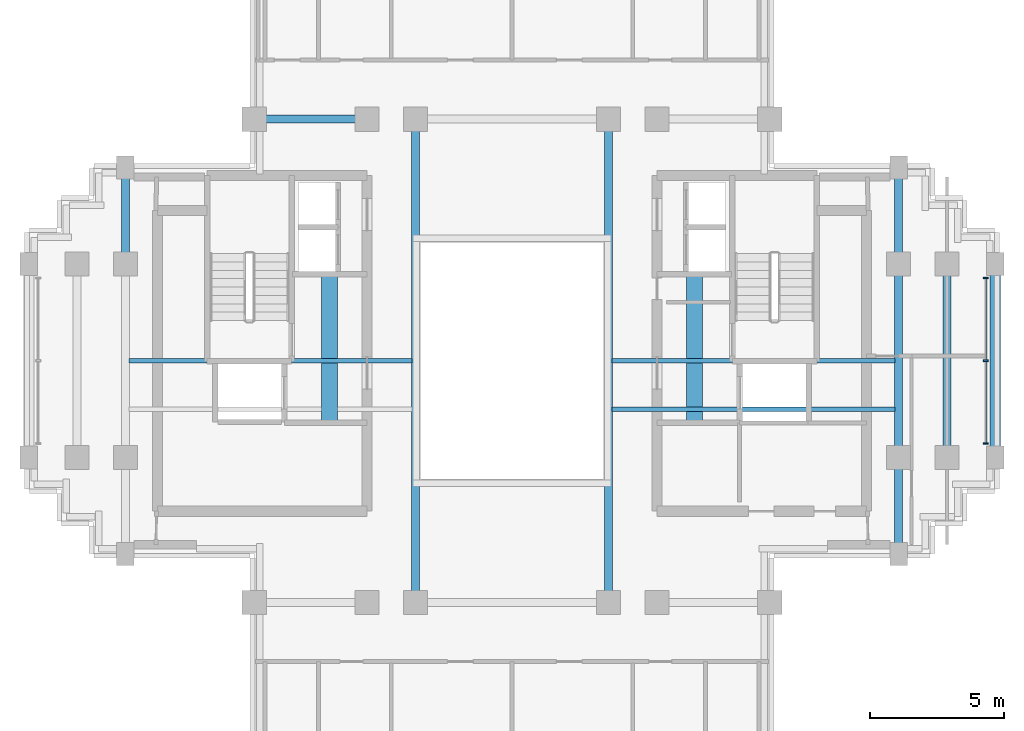
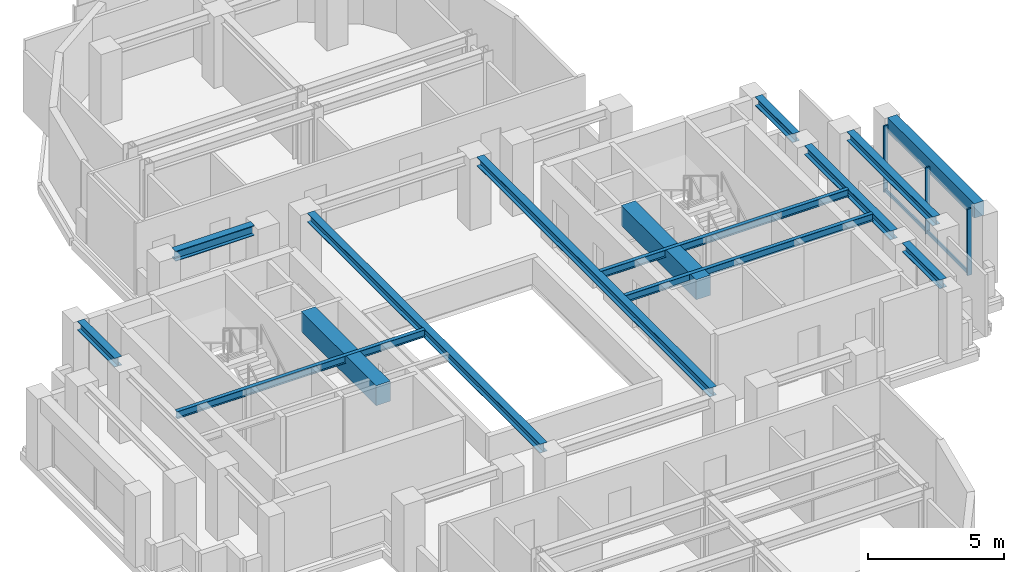
# One storey, part 3 of 11: 14 beams, 5 members, 1 element without a shape of its own.
"""IFC4 building model written with IfcOpenShell, lengths in metres."""

from ifc_helpers import new_model, si_unit, direction, frame, origin, origin_2d, place, context, subcontext, project, spatial, rectangle, i_section, extrude, source, transform, mapped, material, material_profile, profile_set, type_object, element, aggregate, save


model = new_model("IFC4")

# Units and contexts
model_context = context("Model", 3, precision=1e-05, world=origin(), true_north=direction((0.0, 1.0)))
body_context = subcontext(model_context, "Body", "Model", "MODEL_VIEW")
ifc_project = project(units=[si_unit("LENGTHUNIT", "METRE"), si_unit("AREAUNIT", "SQUARE_METRE"), si_unit("VOLUMEUNIT", "CUBIC_METRE"), si_unit("PLANEANGLEUNIT", "RADIAN"), si_unit("MASSUNIT", "GRAM", prefix="KILO")], contexts=[model_context])

# Site, building, storey
site_placement = place(None, origin())
site = spatial("IfcSite", under=ifc_project, at=site_placement, CompositionType="ELEMENT")
building_placement = place(site_placement, origin())
building = spatial("IfcBuilding", under=site, at=building_placement, Name="Keilestroom Media Tower", CompositionType="ELEMENT")
storey_placement = place(building_placement, frame((0.0, 0.0, 201.199951171875)))
storey = spatial("IfcBuildingStorey", under=building, at=storey_placement, Name="L55", CompositionType="ELEMENT", Elevation=201.199951171875)

# Beams
ifc_material_1 = material(Name="Concrete C70/85", Category="concrete")
ifc_material_profile_1 = material_profile(ifc_material_1, rectangle(XDim=0.60009765625, YDim=0.89990234375, at=origin_2d()), Name="RC 600x900")
ifc_profile_set_1 = profile_set([ifc_material_profile_1], Name="Concrete C70/85")
beam_type_1 = type_object("IfcBeamType", Name="Core-Coupling-Lintel-Beam-RC-600x900", PredefinedType="LINTEL", material=ifc_profile_set_1)
shared_shape_1 = source(origin(), body_context, "Body", "SweptSolid", [
    extrude(rectangle(XDim=0.60009765625, YDim=0.89990234375, at=origin_2d()), origin(), (0.0, 0.0, 1.0), 5.52001953125),
])
for number, where, z_axis, x_axis, name in (
    (1, (-6.800048828125, -2.300048828125, 2.75), (0.0, 1.0, 0.0), (-1.0, 0.0, 0.0), "L55 Beam CLB-1 CLB-L55-W"),
    (2, (6.800048828125, -2.300048828125, 2.75), (0.0, 1.0, 0.0), (-1.0, 0.0, 0.0), "L55 Beam CLB-1 CLB-L55-E"),
):
    element("IfcBeam", number, at=place(storey_placement, frame(where, z_axis=z_axis, x_axis=x_axis)), inside=storey, type_object=beam_type_1, Name=name, PredefinedType="LINTEL", context=body_context, shape_type="MappedRepresentation", body=[
        mapped(shared_shape_1, transform((0.0, 0.0, 0.0), x_axis=(1.0, 0.0, 0.0), y_axis=(0.0, 1.0, 0.0), z_axis=(0.0, 0.0, 1.0), scale=1.0)),
    ])
ifc_material_2 = material(Name="Steel S355", Category="steel")
ifc_material_profile_2 = material_profile(ifc_material_2, i_section(OverallWidth=0.300048828125, OverallDepth=0.449951171875, WebThickness=0.011962890625, FlangeThickness=0.02587890625, at=origin_2d()), Name="HEB 450")
ifc_profile_set_2 = profile_set([ifc_material_profile_2], Name="Steel S355")
beam_type_2 = type_object("IfcBeamType", Name="Primary-Structural-Girder-HEB-450", PredefinedType="BEAM", material=ifc_profile_set_2)
shared_shape_2 = source(origin(), body_context, "Body", "SweptSolid", [
    extrude(i_section(OverallWidth=0.300048828125, OverallDepth=0.449951171875, WebThickness=0.011962890625, FlangeThickness=0.02587890625, at=origin_2d()), origin(), (0.0, 0.0, 1.0), 3.33984375),
])
beam_1_placement = place(storey_placement, frame((-9.169921875, 9.0, 2.97509765625), z_axis=(1.0, 0.0, 0.0), x_axis=(0.0, 1.0, 0.0)))
element("IfcBeam", 3, at=beam_1_placement, inside=storey, type_object=beam_type_2, Name="L55 Beam BG-7 BM-L55-EW-020", PredefinedType="BEAM", context=body_context, shape_type="MappedRepresentation", body=[
    mapped(shared_shape_2, transform((0.0, 0.0, 0.0), x_axis=(1.0, 0.0, 0.0), y_axis=(0.0, 1.0, 0.0), z_axis=(0.0, 0.0, 1.0), scale=1.0)),
])
ifc_material_3 = material(Name="Precast concrete C40/50", Category="concrete")
ifc_material_profile_3 = material_profile(ifc_material_3, rectangle(XDim=0.39990234375, YDim=0.64990234375, at=origin_2d()), Name="PC 400x650")
ifc_profile_set_3 = profile_set([ifc_material_profile_3], Name="Precast concrete C40/50")
beam_type_3 = type_object("IfcBeamType", Name="Perimeter-Spandrel-Beam-PC-400x650", PredefinedType="SPANDREL", material=ifc_profile_set_3)
shared_shape_3 = source(origin(), body_context, "Body", "SweptSolid", [
    extrude(rectangle(XDim=0.39990234375, YDim=0.64990234375, at=origin_2d()), origin(), (0.0, 0.0, 1.0), 6.39013671875),
])
beam_2_placement = place(storey_placement, frame((18.0, -3.195068359375, 2.875), z_axis=(0.0, 1.0, 0.0), x_axis=(-1.0, 0.0, 0.0)))
element("IfcBeam", 4, at=beam_2_placement, inside=storey, type_object=beam_type_3, Name="L55 Beam SPB-2 BM-L55-NS-054", PredefinedType="SPANDREL", context=body_context, shape_type="MappedRepresentation", body=[
    mapped(shared_shape_3, transform((0.0, 0.0, 0.0), x_axis=(1.0, 0.0, 0.0), y_axis=(0.0, 1.0, 0.0), z_axis=(0.0, 0.0, 1.0), scale=1.0)),
])
ifc_material_profile_4 = material_profile(ifc_material_2, i_section(OverallWidth=0.300048828125, OverallDepth=0.39990234375, WebThickness=0.011474609375, FlangeThickness=0.02392578125, at=origin_2d()), Name="HEB 400")
ifc_profile_set_4 = profile_set([ifc_material_profile_4], Name="Steel S355")
beam_type_4 = type_object("IfcBeamType", Name="Primary-Structural-Girder-HEB-400", PredefinedType="BEAM", material=ifc_profile_set_4)
shared_shape_4 = source(origin(), body_context, "Body", "SweptSolid", [
    extrude(i_section(OverallWidth=0.300048828125, OverallDepth=0.39990234375, WebThickness=0.011474609375, FlangeThickness=0.02392578125, at=origin_2d()), origin(), (0.0, 0.0, 1.0), 6.33984375),
])
for number, where, z_axis, x_axis, name in (
    (5, (14.39990234375, -3.169921875, 3.0), (0.0, 1.0, 0.0), (-1.0, 0.0, 0.0), "L55 Beam BG-8 BM-L55-NS-051"),
    (6, (16.199951171875, -3.169921875, 3.0), (0.0, 1.0, 0.0), (-1.0, 0.0, 0.0), "L55 Beam BG-8 BM-L55-NS-053"),
):
    element("IfcBeam", number, at=place(storey_placement, frame(where, z_axis=z_axis, x_axis=x_axis)), inside=storey, type_object=beam_type_4, Name=name, PredefinedType="BEAM", context=body_context, shape_type="MappedRepresentation", body=[
        mapped(shared_shape_4, transform((0.0, 0.0, 0.0), x_axis=(1.0, 0.0, 0.0), y_axis=(0.0, 1.0, 0.0), z_axis=(0.0, 0.0, 1.0), scale=1.0)),
    ])
shared_shape_5 = source(origin(), body_context, "Body", "SweptSolid", [
    extrude(i_section(OverallWidth=0.300048828125, OverallDepth=0.39990234375, WebThickness=0.011474609375, FlangeThickness=0.02392578125, at=origin_2d()), origin(), (0.0, 0.0, 1.0), 2.764892578125),
])
for number, where, z_axis, x_axis, name in (
    (7, (-14.39990234375, 4.030029296875, 3.0), (0.0, 1.0, 0.0), (-1.0, 0.0, 0.0), "L55 Beam BG-8 BM-L55-NS-035"),
    (8, (14.39990234375, -6.794921875, 3.0), (0.0, 1.0, 0.0), (-1.0, 0.0, 0.0), "L55 Beam BG-8 BM-L55-NS-050"),
    (9, (14.39990234375, 4.030029296875, 3.0), (0.0, 1.0, 0.0), (-1.0, 0.0, 0.0), "L55 Beam BG-8 BM-L55-NS-052"),
):
    element("IfcBeam", number, at=place(storey_placement, frame(where, z_axis=z_axis, x_axis=x_axis)), inside=storey, type_object=beam_type_4, Name=name, PredefinedType="BEAM", context=body_context, shape_type="MappedRepresentation", body=[
        mapped(shared_shape_5, transform((0.0, 0.0, 0.0), x_axis=(1.0, 0.0, 0.0), y_axis=(0.0, 1.0, 0.0), z_axis=(0.0, 0.0, 1.0), scale=1.0)),
    ])
shared_shape_6 = source(origin(), body_context, "Body", "SweptSolid", [
    extrude(i_section(OverallWidth=0.300048828125, OverallDepth=0.39990234375, WebThickness=0.011474609375, FlangeThickness=0.02392578125, at=origin_2d()), origin(), (0.0, 0.0, 1.0), 17.14013671875),
])
for number, where, z_axis, x_axis, name in (
    (10, (-3.60009765625, -8.570068359375, 3.0), (0.0, 1.0, 0.0), (-1.0, 0.0, 0.0), "L55 Beam BG-8 BM-L55-NS-040"),
    (11, (3.60009765625, -8.570068359375, 3.0), (0.0, 1.0, 0.0), (-1.0, 0.0, 0.0), "L55 Beam BG-8 BM-L55-NS-045"),
):
    element("IfcBeam", number, at=place(storey_placement, frame(where, z_axis=z_axis, x_axis=x_axis)), inside=storey, type_object=beam_type_4, Name=name, PredefinedType="BEAM", context=body_context, shape_type="MappedRepresentation", body=[
        mapped(shared_shape_6, transform((0.0, 0.0, 0.0), x_axis=(1.0, 0.0, 0.0), y_axis=(0.0, 1.0, 0.0), z_axis=(0.0, 0.0, 1.0), scale=1.0)),
    ])
ifc_material_profile_5 = material_profile(ifc_material_2, i_section(OverallWidth=0.159912109375, OverallDepth=0.330078125, WebThickness=0.007568359375, FlangeThickness=0.011474609375, at=origin_2d()), Name="IPE 330")
ifc_profile_set_5 = profile_set([ifc_material_profile_5], Name="Steel S355")
beam_type_5 = type_object("IfcBeamType", Name="Secondary-Floor-Joist-IPE-330", PredefinedType="JOIST", material=ifc_profile_set_5)
shared_shape_7 = source(origin(), body_context, "Body", "SweptSolid", [
    extrude(i_section(OverallWidth=0.159912109375, OverallDepth=0.330078125, WebThickness=0.007568359375, FlangeThickness=0.011474609375, at=origin_2d()), origin(), (0.0, 0.0, 1.0), 10.5400390625),
])
for number, where, z_axis, x_axis, name in (
    (12, (3.72998046875, -1.800048828125, 3.03515625), (1.0, 0.0, 0.0), (0.0, 1.0, 0.0), "L55 Beam BJ-6 JST-L55-059"),
    (13, (-14.27001953125, 0.0, 3.03515625), (1.0, 0.0, 0.0), (0.0, 1.0, 0.0), "L55 Beam BJ-6 JST-L55-060"),
    (14, (3.72998046875, 0.0, 3.03515625), (1.0, 0.0, 0.0), (0.0, 1.0, 0.0), "L55 Beam BJ-6 JST-L55-062"),
):
    element("IfcBeam", number, at=place(storey_placement, frame(where, z_axis=z_axis, x_axis=x_axis)), inside=storey, type_object=beam_type_5, Name=name, PredefinedType="JOIST", context=body_context, shape_type="MappedRepresentation", body=[
        mapped(shared_shape_7, transform((0.0, 0.0, 0.0), x_axis=(1.0, 0.0, 0.0), y_axis=(0.0, 1.0, 0.0), z_axis=(0.0, 0.0, 1.0), scale=1.0)),
    ])

# Curtain wall, members
ifc_material_4 = material(Name="Anodised Aluminium Alloy", Category="aluminium")
curtain_wall_type = type_object("IfcCurtainWallType", Name="Unitised-Curtain-Wall-CW-3", PredefinedType="NOTDEFINED", material=ifc_material_4)
curtain_wall_placement = place(storey_placement, origin())
curtain_wall = element("IfcCurtainWall", 15, at=curtain_wall_placement, inside=storey, type_object=curtain_wall_type, Name="L55 Curtain Wall CW-3 CW-L55-E-1", PredefinedType="NOTDEFINED")
ifc_material_profile_6 = material_profile(ifc_material_4, rectangle(XDim=0.06494140625, YDim=0.179931640625, at=origin_2d()), Name="ALU MULLION 65x180")
ifc_profile_set_6 = profile_set([ifc_material_profile_6], Name="Anodised Aluminium Alloy")
member_type_1 = type_object("IfcMemberType", Name="Curtain-Wall-Mullion-CW-3", PredefinedType="MULLION", material=ifc_profile_set_6)
shared_shape_8 = source(origin(), body_context, "Body", "SweptSolid", [
    extrude(rectangle(XDim=0.06494140625, YDim=0.179931640625, at=origin_2d()), origin(), (0.0, 0.0, 1.0), 2.97998046875),
])
member_1_placement = place(storey_placement, frame((17.64990234375, -3.08251953125, 0.0), z_axis=(0.0, 0.0, 1.0), x_axis=(0.0, 1.0, 0.0)))
member_1 = element("IfcMember", 16, at=member_1_placement, type_object=member_type_1, Name="CW-3 Mullion 00", PredefinedType="MULLION", context=body_context, shape_type="MappedRepresentation", body=[
    mapped(shared_shape_8, transform((0.0, 0.0, 0.0), x_axis=(1.0, 0.0, 0.0), y_axis=(0.0, 1.0, 0.0), z_axis=(0.0, 0.0, 1.0), scale=1.0)),
])
member_2_placement = place(storey_placement, frame((17.64990234375, 0.0, 0.0), z_axis=(0.0, 0.0, 1.0), x_axis=(0.0, 1.0, 0.0)))
member_2 = element("IfcMember", 17, at=member_2_placement, type_object=member_type_1, Name="CW-3 Mullion 01", PredefinedType="MULLION", context=body_context, shape_type="MappedRepresentation", body=[
    mapped(shared_shape_8, transform((0.0, 0.0, 0.0), x_axis=(1.0, 0.0, 0.0), y_axis=(0.0, 1.0, 0.0), z_axis=(0.0, 0.0, 1.0), scale=1.0)),
])
member_3_placement = place(storey_placement, frame((17.64990234375, 3.08251953125, 0.0), z_axis=(0.0, 0.0, 1.0), x_axis=(0.0, 1.0, 0.0)))
member_3 = element("IfcMember", 18, at=member_3_placement, type_object=member_type_1, Name="CW-3 Mullion 02", PredefinedType="MULLION", context=body_context, shape_type="MappedRepresentation", body=[
    mapped(shared_shape_8, transform((0.0, 0.0, 0.0), x_axis=(1.0, 0.0, 0.0), y_axis=(0.0, 1.0, 0.0), z_axis=(0.0, 0.0, 1.0), scale=1.0)),
])
ifc_material_profile_7 = material_profile(ifc_material_4, rectangle(XDim=0.06494140625, YDim=0.14990234375, at=origin_2d()), Name="ALU TRANSOM 65x150")
ifc_profile_set_7 = profile_set([ifc_material_profile_7], Name="Anodised Aluminium Alloy")
member_type_2 = type_object("IfcMemberType", Name="Curtain-Wall-Transom-CW-3", PredefinedType="USERDEFINED", material=ifc_profile_set_7)
shared_shape_9 = source(origin(), body_context, "Body", "SweptSolid", [
    extrude(rectangle(XDim=0.06494140625, YDim=0.14990234375, at=origin_2d()), origin(), (0.0, 0.0, 1.0), 3.021484375),
])
member_4_placement = place(storey_placement, frame((17.64990234375, -3.052001953125, 0.074951171875), z_axis=(0.0, 1.0, 0.0), x_axis=(-1.0, 0.0, 0.0)))
member_4 = element("IfcMember", 19, at=member_4_placement, type_object=member_type_2, Name="CW-3 Transom 00.1", ObjectType="TRANSOM", PredefinedType="USERDEFINED", context=body_context, shape_type="MappedRepresentation", body=[
    mapped(shared_shape_9, transform((0.0, 0.0, 0.0), x_axis=(1.0, 0.0, 0.0), y_axis=(0.0, 1.0, 0.0), z_axis=(0.0, 0.0, 1.0), scale=1.0)),
])
member_5_placement = place(storey_placement, frame((17.64990234375, 0.030517578125, 0.074951171875), z_axis=(0.0, 1.0, 0.0), x_axis=(-1.0, 0.0, 0.0)))
member_5 = element("IfcMember", 20, at=member_5_placement, type_object=member_type_2, Name="CW-3 Transom 01.1", ObjectType="TRANSOM", PredefinedType="USERDEFINED", context=body_context, shape_type="MappedRepresentation", body=[
    mapped(shared_shape_9, transform((0.0, 0.0, 0.0), x_axis=(1.0, 0.0, 0.0), y_axis=(0.0, 1.0, 0.0), z_axis=(0.0, 0.0, 1.0), scale=1.0)),
])
aggregate(curtain_wall, [member_1, member_2, member_3, member_4, member_5])

save(model, "model.ifc")
